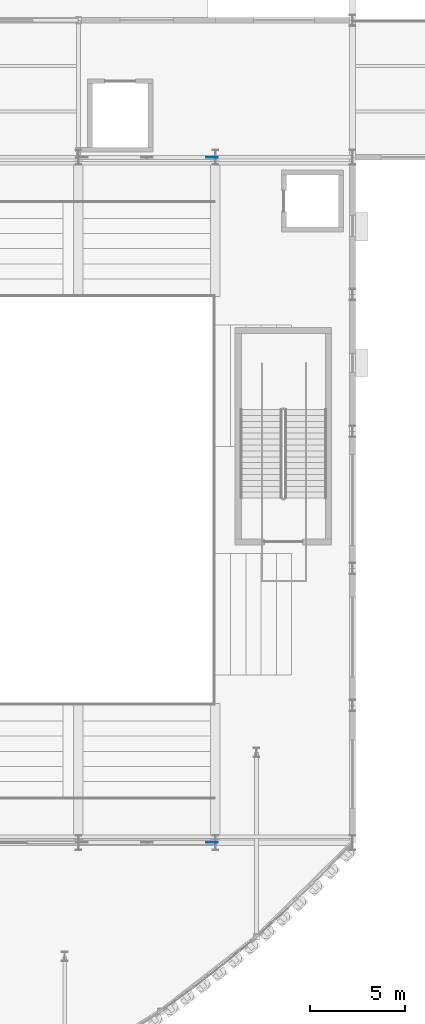
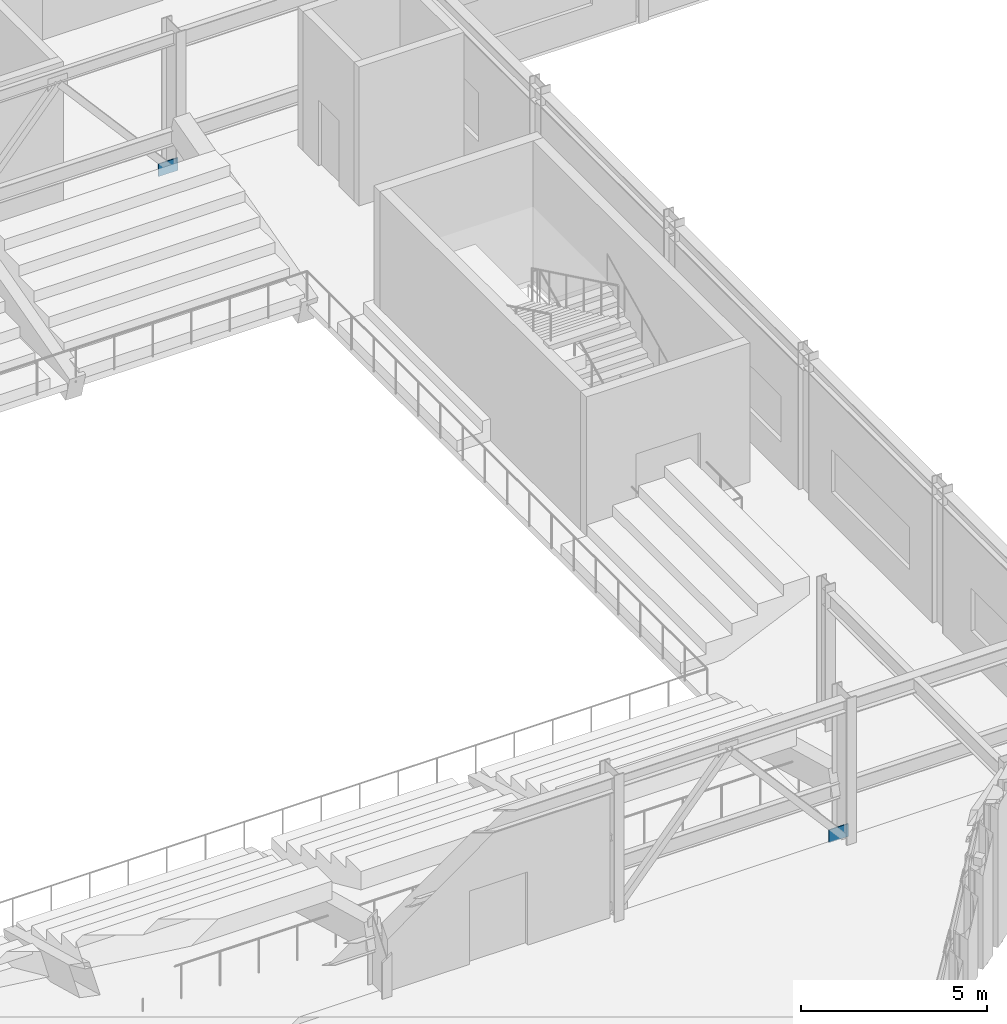
# One storey, part 93 of 121: 2 plates.
"""IFC4 building model written with IfcOpenShell, lengths in metres."""

from ifc_helpers import new_model, si_unit, direction, frame, origin, origin_2d, place, context, subcontext, project, spatial, rectangle, extrude, material, layer, layer_set, type_object, element, save


model = new_model("IFC4")

# Units and contexts
model_context = context("Model", 3, precision=1e-05, world=origin(), true_north=direction((0.0, 1.0)))
body_context = subcontext(model_context, "Body", "Model", "MODEL_VIEW")
ifc_project = project(units=[si_unit("LENGTHUNIT", "METRE"), si_unit("AREAUNIT", "SQUARE_METRE"), si_unit("VOLUMEUNIT", "CUBIC_METRE"), si_unit("PLANEANGLEUNIT", "RADIAN"), si_unit("MASSUNIT", "GRAM", prefix="KILO")], contexts=[model_context])

# Site, building, storey
site_placement = place(None, origin())
site = spatial("IfcSite", under=ifc_project, at=site_placement, CompositionType="ELEMENT")
building_placement = place(site_placement, origin())
building = spatial("IfcBuilding", under=site, at=building_placement, Name="Solvadek Multi-Sports Hall", CompositionType="ELEMENT")
storey_placement = place(building_placement, frame((0.0, 0.0, 4.800048828125)))
storey = spatial("IfcBuildingStorey", under=building, at=storey_placement, Name="L01", CompositionType="ELEMENT", Elevation=4.800048828125)

# Plates
ifc_material = material(Name="Steel E350 (350 MPa)", Category="steel")
ifc_layer = layer(ifc_material, 0.02392578125, Name="Steel E350 (350 MPa)")
ifc_layer_set = layer_set([ifc_layer], Name="Steel E350 (350 MPa)")
plate_type = type_object("IfcPlateType", Name="STR-PLT-GUS600", PredefinedType="USERDEFINED", material=ifc_layer_set)
for number, where, z_axis, x_axis, name in (
    (1, (129.419921875, 6.0, -0.030029296875), (0.0, 0.0, 1.0), (1.0, 0.0, 0.0), "L01 Chevron Brace Gusset Plate #279"),
    (2, (129.419921875, 42.0, -0.030029296875), (0.0, 0.0, 1.0), (1.0, 0.0, 0.0), "L01 Chevron Brace Gusset Plate #285"),
):
    element("IfcPlate", number, at=place(storey_placement, frame(where, z_axis=z_axis, x_axis=x_axis)), inside=storey, type_object=plate_type, Name=name, ObjectType="GUSSET_PLATE", PredefinedType="USERDEFINED", context=body_context, shape_type="SweptSolid", body=[
        extrude(rectangle(XDim=0.60009765625, YDim=0.02392578125, at=origin_2d()), origin(), (0.0, 0.0, 1.0), 0.419921875),
    ])

save(model, "model.ifc")
